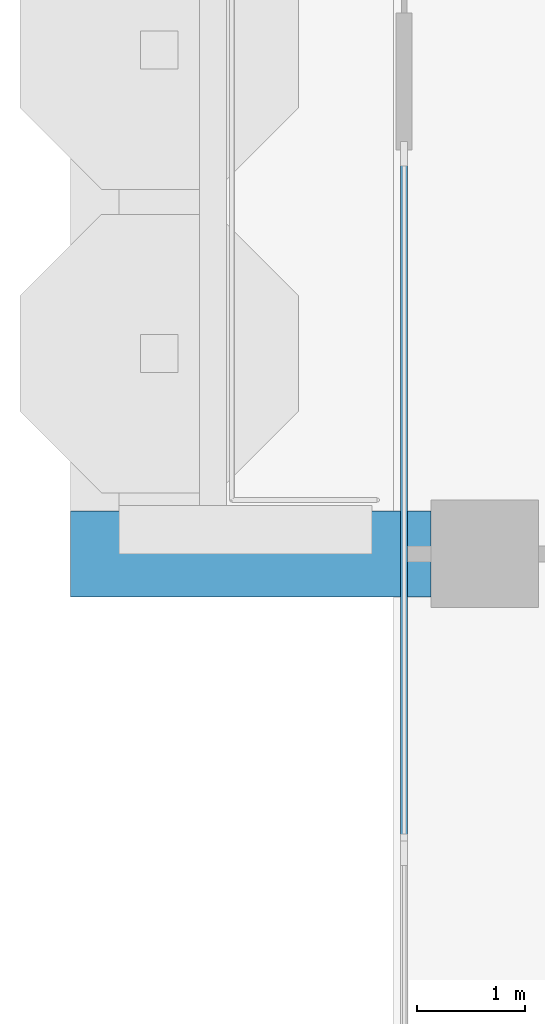
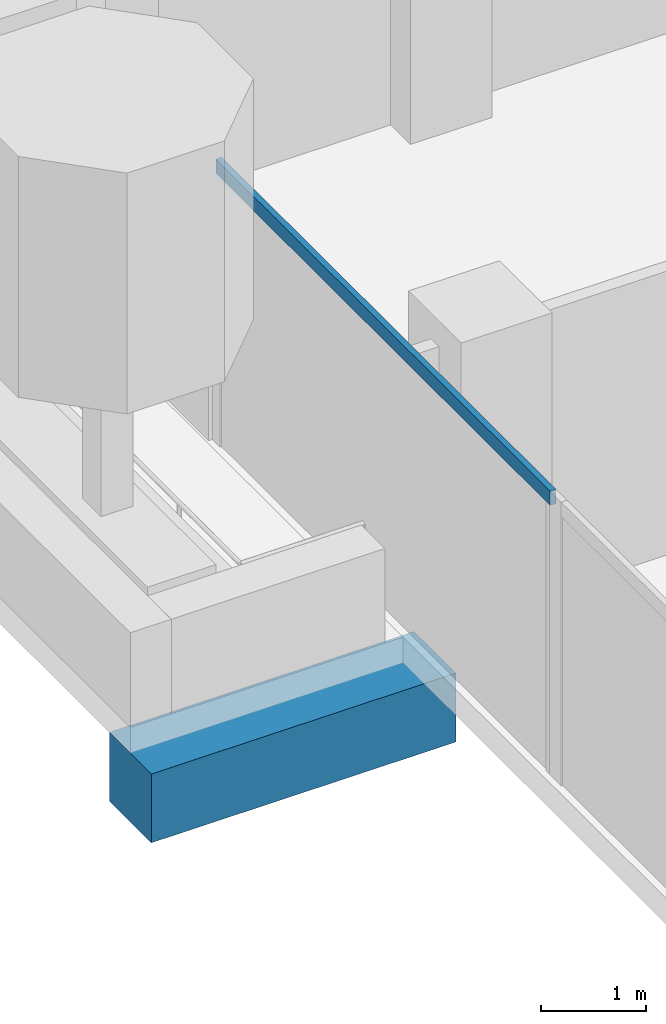
# One storey, part 3 of 18: 1 beam, 1 member, 1 element without a shape of its own.
"""IFC4 building model written with IfcOpenShell, lengths in metres."""

from ifc_helpers import new_model, si_unit, direction, frame, origin, origin_2d, place, context, subcontext, project, spatial, rectangle, extrude, material, material_profile, profile_set, type_object, element, aggregate, save


model = new_model("IFC4")

# Units and contexts
model_context = context("Model", 3, precision=1e-05, world=origin(), true_north=direction((0.0, 1.0)))
body_context = subcontext(model_context, "Body", "Model", "MODEL_VIEW")
ifc_project = project(units=[si_unit("LENGTHUNIT", "METRE"), si_unit("AREAUNIT", "SQUARE_METRE"), si_unit("VOLUMEUNIT", "CUBIC_METRE"), si_unit("PLANEANGLEUNIT", "RADIAN"), si_unit("MASSUNIT", "GRAM", prefix="KILO")], contexts=[model_context])

# Site, building, storey
site_placement = place(None, origin())
site = spatial("IfcSite", under=ifc_project, at=site_placement, CompositionType="ELEMENT")
building_placement = place(site_placement, origin())
building = spatial("IfcBuilding", under=site, at=building_placement, Name="Pilkhan Gate Tower", CompositionType="ELEMENT")
storey_placement = place(building_placement, frame((0.0, 0.0, 199.5)))
storey = spatial("IfcBuildingStorey", under=building, at=storey_placement, Name="L51", CompositionType="ELEMENT", Elevation=199.5)

# Beam
ifc_material_1 = material(Name="Concrete C50/60", Category="concrete")
ifc_material_profile_1 = material_profile(ifc_material_1, rectangle(XDim=0.800048828125, YDim=0.800048828125, at=origin_2d()), Name="RC 800x800")
ifc_profile_set_1 = profile_set([ifc_material_profile_1], Name="Concrete C50/60")
beam_type = type_object("IfcBeamType", Name="Cantilever beam CB2 RC 800x800 C50/60", PredefinedType="BEAM", material=ifc_profile_set_1)
beam_placement = place(storey_placement, frame((48.25, 67.5, -0.699951171875), z_axis=(-1.0, 0.0, 0.0), x_axis=(0.0, -1.0, 0.0)))
element("IfcBeam", 1, at=beam_placement, inside=storey, type_object=beam_type, Name="Balcony beam W.1 L51", PredefinedType="BEAM", context=body_context, shape_type="SweptSolid", body=[
    extrude(rectangle(XDim=0.800048828125, YDim=0.800048828125, at=origin_2d()), origin(), (0.0, 0.0, 1.0), 3.35009765625),
])

# Curtain wall, member
ifc_material_2 = material(Name="Pale anodised aluminium, clear low-iron double glazing", Category="aluminium")
curtain_wall_type = type_object("IfcCurtainWallType", Name="Office unitised curtain wall CW-O2", PredefinedType="USERDEFINED", material=ifc_material_2)
curtain_wall_placement = place(storey_placement, origin())
curtain_wall = element("IfcCurtainWall", 2, at=curtain_wall_placement, inside=storey, type_object=curtain_wall_type, Name="Office unitised curtain wall CW-O2 L51 W", ObjectType="UNITISED CURTAIN WALL", PredefinedType="USERDEFINED")
ifc_material_3 = material(Name="Pale anodised aluminium", Category="aluminium")
ifc_material_profile_2 = material_profile(ifc_material_3, rectangle(XDim=0.06494140625, YDim=0.1650390625, at=origin_2d()), Name="Transom 165x65")
ifc_profile_set_2 = profile_set([ifc_material_profile_2], Name="Pale anodised aluminium")
member_type = type_object("IfcMemberType", Name="Transom CW-O2 165x65", PredefinedType="USERDEFINED", material=ifc_profile_set_2)
member_placement = place(storey_placement, frame((48.0, 64.81494140625, 3.217529296875), z_axis=(0.0, 1.0, 0.0), x_axis=(-1.0, 0.0, 0.0)))
member = element("IfcMember", 3, at=member_placement, type_object=member_type, Name="CW-O2 transom 1", ObjectType="TRANSOM", PredefinedType="USERDEFINED", context=body_context, shape_type="SweptSolid", body=[
    extrude(rectangle(XDim=0.06494140625, YDim=0.1650390625, at=origin_2d()), origin(), (0.0, 0.0, 1.0), 6.3701171875),
])
aggregate(curtain_wall, [member])

save(model, "model.ifc")
